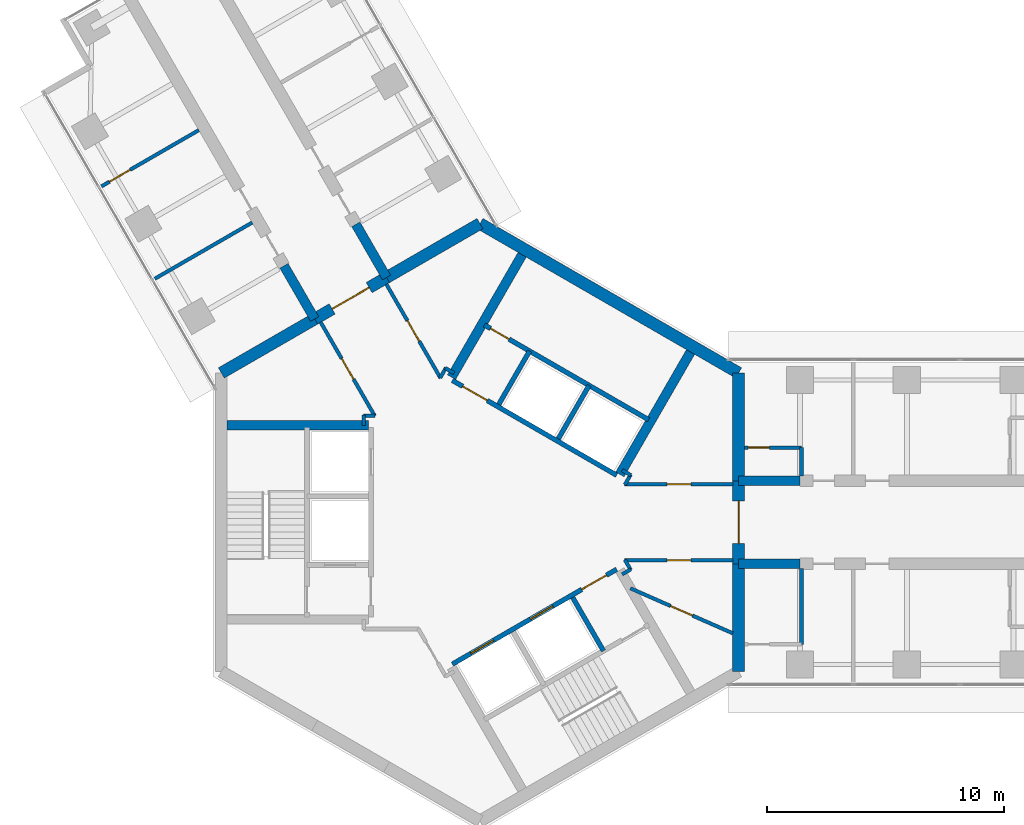
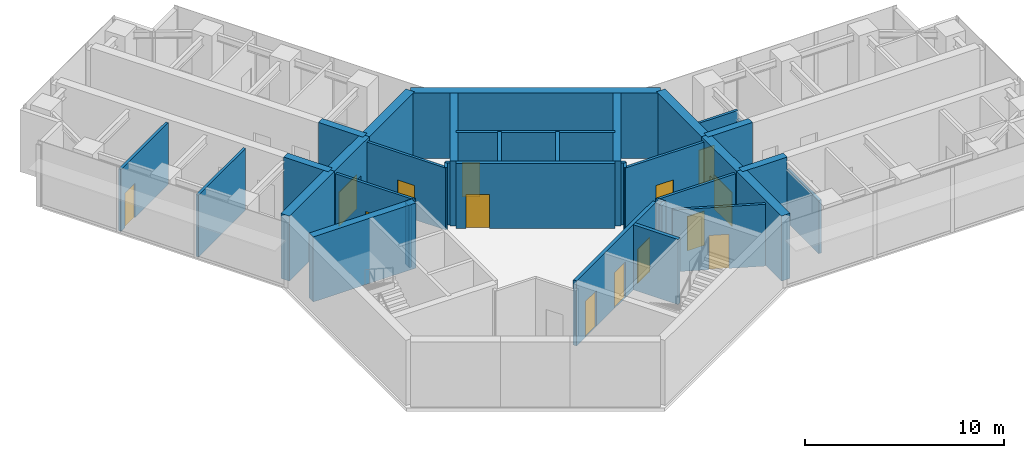
# One storey, part 12 of 17: 38 walls, 14 doors, 14 openings.
"""IFC4 building model written with IfcOpenShell, lengths in metres."""

from ifc_helpers import new_model, si_unit, direction, frame, frame_2d, origin, place, context, subcontext, project, spatial, rectangle, extrude, material, layer, layer_set, type_object, element, fill, save


model = new_model("IFC4")

# Units and contexts
model_context = context("Model", 3, precision=1e-05, world=origin(), true_north=direction((0.0, 1.0)))
body_context = subcontext(model_context, "Body", "Model", "MODEL_VIEW")
ifc_project = project(units=[si_unit("LENGTHUNIT", "METRE"), si_unit("AREAUNIT", "SQUARE_METRE"), si_unit("VOLUMEUNIT", "CUBIC_METRE"), si_unit("PLANEANGLEUNIT", "RADIAN"), si_unit("MASSUNIT", "GRAM", prefix="KILO")], contexts=[model_context])

# Site, building, storey
site_placement = place(None, origin())
site = spatial("IfcSite", under=ifc_project, at=site_placement, CompositionType="ELEMENT")
building_placement = place(site_placement, origin())
building = spatial("IfcBuilding", under=site, at=building_placement, Name="Upepo Twin Towers", CompositionType="ELEMENT")
storey_placement = place(building_placement, frame((0.0, 0.0, 198.5)))
storey = spatial("IfcBuildingStorey", under=building, at=storey_placement, Name="L48", CompositionType="ELEMENT", Elevation=198.5)

# Walls
ifc_material_1 = material(Name="Concrete C60/75", Category="concrete")
ifc_layer_1 = layer(ifc_material_1, 0.39990234375)
ifc_layer_set_1 = layer_set([ifc_layer_1], Name="Concrete C60/75")
wall_type_1 = type_object("IfcWallType", Name="Buttress wall 400 RC", PredefinedType="SHEAR", material=ifc_layer_set_1)
for number, where, z_axis, x_axis, name in (
    (1, (10.908447265625, 1.75, 0.0), (0.0, 0.0, 1.0), (1.0, 0.0, 0.0), "T1 wing A buttress wall L"),
    (2, (10.908447265625, -1.75, 0.0), (0.0, 0.0, 1.0), (1.0, 0.0, 0.0), "T1 wing A buttress wall R"),
):
    element("IfcWall", number, at=place(storey_placement, frame(where, z_axis=z_axis, x_axis=x_axis)), inside=storey, type_object=wall_type_1, Name=name, PredefinedType="SHEAR", context=body_context, shape_type="SweptSolid", body=[
        extrude(rectangle(XDim=2.591552734375, YDim=0.39990234375, at=frame_2d((1.2958984375, 0.0))), origin(), (0.0, 0.0, 1.0), 4.0),
    ])
for number, where, z_axis, x_axis, name in (
    (3, (-6.9697265625, 8.57177734375, 0.0), (0.0, 0.0, 1.0), (-0.499988811324, 0.866031863473, 0.0), "T1 wing B buttress wall L"),
    (4, (-3.938720703125, 10.32177734375, 0.0), (0.0, 0.0, 1.0), (-0.499918158782, 0.866072649678, 0.0), "T1 wing B buttress wall R"),
):
    element("IfcWall", number, at=place(storey_placement, frame(where, z_axis=z_axis, x_axis=x_axis)), inside=storey, type_object=wall_type_1, Name=name, PredefinedType="SHEAR", context=body_context, shape_type="SweptSolid", body=[
        extrude(rectangle(XDim=2.591796875, YDim=0.39990234375, at=frame_2d((1.2958984375, 0.0))), origin(), (0.0, 0.0, 1.0), 4.0),
    ])
ifc_material_2 = material(Name="Concrete C60/75", Category="concrete")
ifc_layer_2 = layer(ifc_material_2, 0.5)
ifc_layer_set_2 = layer_set([ifc_layer_2], Name="Concrete C60/75")
wall_type_2 = type_object("IfcWallType", Name="Core wall 500 RC", PredefinedType="SHEAR", material=ifc_layer_set_2)
wall_1_placement = place(storey_placement, frame((10.908447265625, -6.2978515625, 0.0), z_axis=(0.0, 0.0, 1.0), x_axis=(0.0, 1.0, 0.0)))
element("IfcWall", 5, at=wall_1_placement, inside=storey, type_object=wall_type_2, Name="T1 core wall 000 R", PredefinedType="SHEAR", context=body_context, shape_type="SweptSolid", body=[
    extrude(rectangle(XDim=4.5478515625, YDim=0.5, at=frame_2d((2.27392578125, 0.0))), origin(), (0.0, 0.0, 1.0), 4.0),
])

# Wall, opening, door
wall_2_placement = place(storey_placement, frame((10.908447265625, -1.75, 0.0), z_axis=(0.0, 0.0, 1.0), x_axis=(0.0, 1.0, 0.0)))
wall_2 = element("IfcWall", 6, at=wall_2_placement, inside=storey, type_object=wall_type_2, Name="T1 core wall 000", PredefinedType="SHEAR", context=body_context, shape_type="SweptSolid", body=[
    extrude(rectangle(XDim=3.5, YDim=0.5, at=frame_2d((1.75, 0.0))), origin(), (0.0, 0.0, 1.0), 4.0),
])
opening_1_placement = place(wall_2_placement, frame((0.85009765625, 0.0, 0.0)))
opening_1 = element("IfcOpeningElement", 7, at=opening_1_placement, cuts=wall_2, Name="Opening D2", PredefinedType="OPENING", context=body_context, shape_type="SweptSolid", body=[
    extrude(rectangle(XDim=1.800048828125, YDim=2.10009765625, at=frame_2d((0.89990234375, 1.050048828125))), frame((0.0, 0.260009765625, 0.0), z_axis=(0.0, -1.0, 0.0), x_axis=(1.0, 0.0, 0.0)), (0.0, 0.0, 1.0), 0.52001953125),
])
ifc_material_3 = material(Name="Timber doorset", Category="wood")
door_type_1 = type_object("IfcDoorType", Name="Corridor double door 1800 FD60", OperationType="DOUBLE_DOOR_DOUBLE_SWING", PredefinedType="DOOR", material=ifc_material_3)
door_1_placement = place(opening_1_placement, origin())
door_1 = element("IfcDoor", 8, at=door_1_placement, inside=storey, type_object=door_type_1, Name="T1 L48 wing A corridor door", OperationType="DOUBLE_DOOR_DOUBLE_SWING", OverallHeight=2.10009765625, OverallWidth=1.800048828125, PredefinedType="DOOR", context=body_context, shape_type="SweptSolid", body=[
    extrude(rectangle(XDim=1.800048828125, YDim=2.10009765625, at=frame_2d((0.89990234375, 1.050048828125))), frame((0.0, 0.02490234375, 0.0), z_axis=(0.0, -1.0, 0.0), x_axis=(1.0, 0.0, 0.0)), (0.0, 0.0, 1.0), 0.050048828125),
])
fill(opening_1, door_1)

# Walls
wall_3_placement = place(storey_placement, frame((10.908447265625, 1.75, 0.0), z_axis=(0.0, 0.0, 1.0), x_axis=(0.0, 1.0, 0.0)))
element("IfcWall", 9, at=wall_3_placement, inside=storey, type_object=wall_type_2, Name="T1 core wall 000 L", PredefinedType="SHEAR", context=body_context, shape_type="SweptSolid", body=[
    extrude(rectangle(XDim=4.5478515625, YDim=0.5, at=frame_2d((2.27392578125, 0.0))), origin(), (0.0, 0.0, 1.0), 4.0),
])
wall_4_placement = place(storey_placement, frame((10.908447265625, 6.2978515625, 0.0), z_axis=(0.0, 0.0, 1.0), x_axis=(-0.866021940709, 0.500005998175, 0.0)))
element("IfcWall", 10, at=wall_4_placement, inside=storey, type_object=wall_type_2, Name="T1 core wall 060", PredefinedType="SHEAR", context=body_context, shape_type="SweptSolid", body=[
    extrude(rectangle(XDim=12.595947265625, YDim=0.5, at=frame_2d((6.2978515625, 0.0))), origin(), (0.0, 0.0, 1.0), 4.0),
])
wall_5_placement = place(storey_placement, frame((0.0, 12.595947265625, 0.0), z_axis=(0.0, 0.0, 1.0), x_axis=(-0.866011268655, -0.500024481964, 0.0)))
element("IfcWall", 11, at=wall_5_placement, inside=storey, type_object=wall_type_2, Name="T1 core wall 120 R", PredefinedType="SHEAR", context=body_context, shape_type="SweptSolid", body=[
    extrude(rectangle(XDim=4.548095703125, YDim=0.5, at=frame_2d((2.27392578125, 0.0))), origin(), (0.0, 0.0, 1.0), 4.0),
])

# Wall, opening, door
wall_6_placement = place(storey_placement, frame((-3.938720703125, 10.32177734375, 0.0), z_axis=(0.0, 0.0, 1.0), x_axis=(-0.866019471182, -0.500010275428, 0.0)))
wall_6 = element("IfcWall", 12, at=wall_6_placement, inside=storey, type_object=wall_type_2, Name="T1 core wall 120", PredefinedType="SHEAR", context=body_context, shape_type="SweptSolid", body=[
    extrude(rectangle(XDim=3.5, YDim=0.5, at=frame_2d((1.75, 0.0))), origin(), (0.0, 0.0, 1.0), 4.0),
])
opening_2_placement = place(wall_6_placement, frame((0.85009765625, 0.0, 0.0)))
opening_2 = element("IfcOpeningElement", 13, at=opening_2_placement, cuts=wall_6, Name="Opening D2", PredefinedType="OPENING", context=body_context, shape_type="SweptSolid", body=[
    extrude(rectangle(XDim=1.800048828125, YDim=2.10009765625, at=frame_2d((0.89990234375, 1.050048828125))), frame((0.0, 0.260009765625, 0.0), z_axis=(0.0, -1.0, 0.0), x_axis=(1.0, 0.0, 0.0)), (0.0, 0.0, 1.0), 0.52001953125),
])
door_2_placement = place(opening_2_placement, origin())
door_2 = element("IfcDoor", 14, at=door_2_placement, inside=storey, type_object=door_type_1, Name="T1 L48 wing B corridor door", OperationType="DOUBLE_DOOR_DOUBLE_SWING", OverallHeight=2.10009765625, OverallWidth=1.800048828125, PredefinedType="DOOR", context=body_context, shape_type="SweptSolid", body=[
    extrude(rectangle(XDim=1.800048828125, YDim=2.10009765625, at=frame_2d((0.89990234375, 1.050048828125))), frame((0.0, 0.02490234375, 0.0), z_axis=(0.0, -1.0, 0.0), x_axis=(1.0, 0.0, 0.0)), (0.0, 0.0, 1.0), 0.050048828125),
])
fill(opening_2, door_2)

# Wall
wall_7_placement = place(storey_placement, frame((-6.9697265625, 8.57177734375, 0.0), z_axis=(0.0, 0.0, 1.0), x_axis=(-0.866034513004, -0.499984222037, 0.0)))
element("IfcWall", 15, at=wall_7_placement, inside=storey, type_object=wall_type_2, Name="T1 core wall 120 L", PredefinedType="SHEAR", context=body_context, shape_type="SweptSolid", body=[
    extrude(rectangle(XDim=4.548095703125, YDim=0.5, at=frame_2d((2.27392578125, 0.0))), origin(), (0.0, 0.0, 1.0), 4.0),
])

# Wall, opening, door
ifc_material_4 = material(Name="Concrete C40/50", Category="concrete")
ifc_layer_3 = layer(ifc_material_4, 0.199951171875)
ifc_layer_set_3 = layer_set([ifc_layer_3], Name="Concrete C40/50")
wall_type_3 = type_object("IfcWallType", Name="Shaft wall 200 RC", PredefinedType="SHEAR", material=ifc_layer_set_3)
wall_8_placement = place(storey_placement, frame((5.76416015625, 1.983642578125, 0.0), z_axis=(0.0, 0.0, 1.0), x_axis=(-0.866026010844, 0.49999894854, 0.0)))
wall_8 = element("IfcWall", 16, at=wall_8_placement, inside=storey, type_object=wall_type_3, Name="T1 core W60 front wall", PredefinedType="SHEAR", context=body_context, shape_type="SweptSolid", body=[
    extrude(rectangle(XDim=8.0, YDim=0.199951171875, at=frame_2d((4.0, 0.0))), origin(), (0.0, 0.0, 1.0), 4.0),
])
opening_3_placement = place(wall_8_placement, frame((6.300048828125, 0.0, 0.0)))
opening_3 = element("IfcOpeningElement", 17, at=opening_3_placement, cuts=wall_8, Name="Opening D4", PredefinedType="OPENING", context=body_context, shape_type="SweptSolid", body=[
    extrude(rectangle(XDim=1.199951171875, YDim=2.10009765625, at=frame_2d((0.60009765625, 1.050048828125))), frame((0.0, 0.10986328125, 0.0), z_axis=(0.0, -1.0, 0.0), x_axis=(1.0, 0.0, 0.0)), (0.0, 0.0, 1.0), 0.219970703125),
])
ifc_material_5 = material(Name="Timber doorset", Category="wood")
door_type_2 = type_object("IfcDoorType", Name="Lobby door 1200 FD60", OperationType="SINGLE_SWING_LEFT", PredefinedType="DOOR", material=ifc_material_5)
door_3_placement = place(opening_3_placement, origin())
door_3 = element("IfcDoor", 18, at=door_3_placement, inside=storey, type_object=door_type_2, Name="T1 L48 W60 lobby door", OperationType="SINGLE_SWING_RIGHT", OverallHeight=2.10009765625, OverallWidth=1.199951171875, PredefinedType="DOOR", context=body_context, shape_type="SweptSolid", body=[
    extrude(rectangle(XDim=1.199951171875, YDim=2.10009765625, at=frame_2d((0.60009765625, 1.050048828125))), frame((0.0, 0.02490234375, 0.0), z_axis=(0.0, -1.0, 0.0), x_axis=(1.0, 0.0, 0.0)), (0.0, 0.0, 1.0), 0.050048828125),
])
fill(opening_3, door_3)

# Walls
for number, where, z_axis, x_axis, name in (
    (19, (3.302734375, 3.520263671875, 0.0), (0.0, 0.0, 1.0), (0.499936506574, 0.866062058628, 0.0), "T1 core W60 shaft divider"),
    (20, (0.791259765625, 4.97021484375, 0.0), (0.0, 0.0, 1.0), (0.499936506574, 0.866062058628, 0.0), "T1 core W60 lobby wall"),
):
    element("IfcWall", number, at=place(storey_placement, frame(where, z_axis=z_axis, x_axis=x_axis)), inside=storey, type_object=wall_type_3, Name=name, PredefinedType="SHEAR", context=body_context, shape_type="SweptSolid", body=[
        extrude(rectangle(XDim=2.599853515625, YDim=0.199951171875, at=frame_2d((1.2998046875, 0.0))), origin(), (0.0, 0.0, 1.0), 4.0),
    ])

# Wall, opening, door
wall_9_placement = place(storey_placement, frame((7.114013671875, 4.322021484375, 0.0), z_axis=(0.0, 0.0, 1.0), x_axis=(-0.866026010844, 0.49999894854, 0.0)))
wall_9 = element("IfcWall", 21, at=wall_9_placement, inside=storey, type_object=wall_type_3, Name="T1 core W60 stair wall", PredefinedType="SHEAR", context=body_context, shape_type="SweptSolid", body=[
    extrude(rectangle(XDim=8.0, YDim=0.199951171875, at=frame_2d((4.0, 0.0))), origin(), (0.0, 0.0, 1.0), 4.0),
])
opening_4_placement = place(wall_9_placement, frame((6.800048828125, 0.0, 0.0)))
opening_4 = element("IfcOpeningElement", 22, at=opening_4_placement, cuts=wall_9, Name="Opening D9", PredefinedType="OPENING", context=body_context, shape_type="SweptSolid", body=[
    extrude(rectangle(XDim=0.89990234375, YDim=2.10009765625, at=frame_2d((0.449951171875, 1.050048828125))), frame((0.0, 0.10986328125, 0.0), z_axis=(0.0, -1.0, 0.0), x_axis=(1.0, 0.0, 0.0)), (0.0, 0.0, 1.0), 0.219970703125),
])
ifc_material_6 = material(Name="Timber doorset", Category="wood")
door_type_3 = type_object("IfcDoorType", Name="Riser door 900 FD60", OperationType="SINGLE_SWING_LEFT", PredefinedType="DOOR", material=ifc_material_6)
door_4_placement = place(opening_4_placement, origin())
door_4 = element("IfcDoor", 23, at=door_4_placement, inside=storey, type_object=door_type_3, Name="T1 L48 riser door", OperationType="SINGLE_SWING_RIGHT", OverallHeight=2.10009765625, OverallWidth=0.89990234375, PredefinedType="DOOR", context=body_context, shape_type="SweptSolid", body=[
    extrude(rectangle(XDim=0.89990234375, YDim=2.10009765625, at=frame_2d((0.449951171875, 1.050048828125))), frame((0.0, 0.02490234375, 0.0), z_axis=(0.0, -1.0, 0.0), x_axis=(1.0, 0.0, 0.0)), (0.0, 0.0, 1.0), 0.050048828125),
])
fill(opening_4, door_4)

# Wall, openings, doors
wall_10_placement = place(storey_placement, frame((-1.1640625, -5.983642578125, 0.0), z_axis=(0.0, 0.0, 1.0), x_axis=(0.866026010844, 0.49999894854, 0.0)))
wall_10 = element("IfcWall", 24, at=wall_10_placement, inside=storey, type_object=wall_type_3, Name="T1 core W300 front wall", PredefinedType="SHEAR", context=body_context, shape_type="SweptSolid", body=[
    extrude(rectangle(XDim=8.0, YDim=0.199951171875, at=frame_2d((4.0, 0.0))), origin(), (0.0, 0.0, 1.0), 4.0),
])
opening_5_placement = place(wall_10_placement, frame((6.300048828125, 0.0, 0.0)))
opening_5 = element("IfcOpeningElement", 25, at=opening_5_placement, cuts=wall_10, Name="Opening D4", PredefinedType="OPENING", context=body_context, shape_type="SweptSolid", body=[
    extrude(rectangle(XDim=1.199951171875, YDim=2.10009765625, at=frame_2d((0.60009765625, 1.050048828125))), frame((0.0, 0.10986328125, 0.0), z_axis=(0.0, -1.0, 0.0), x_axis=(1.0, 0.0, 0.0)), (0.0, 0.0, 1.0), 0.219970703125),
])
opening_6_placement = place(wall_10_placement, frame((0.89990234375, 0.0, 0.0)))
opening_6 = element("IfcOpeningElement", 26, at=opening_6_placement, cuts=wall_10, Name="Opening LD1", PredefinedType="OPENING", context=body_context, shape_type="SweptSolid", body=[
    extrude(rectangle(XDim=1.10009765625, YDim=2.199951171875, at=frame_2d((0.550048828125, 1.10009765625))), frame((0.0, 0.10986328125, 0.0), z_axis=(0.0, -1.0, 0.0), x_axis=(1.0, 0.0, 0.0)), (0.0, 0.0, 1.0), 0.219970703125),
])
opening_7_placement = place(wall_10_placement, frame((3.800048828125, 0.0, 0.0)))
opening_7 = element("IfcOpeningElement", 27, at=opening_7_placement, cuts=wall_10, Name="Opening LD1", PredefinedType="OPENING", context=body_context, shape_type="SweptSolid", body=[
    extrude(rectangle(XDim=1.10009765625, YDim=2.199951171875, at=frame_2d((0.550048828125, 1.10009765625))), frame((0.0, 0.10986328125, 0.0), z_axis=(0.0, -1.0, 0.0), x_axis=(1.0, 0.0, 0.0)), (0.0, 0.0, 1.0), 0.219970703125),
])
ifc_material_7 = material(Name="Steel doorset", Category="steel")
door_type_4 = type_object("IfcDoorType", Name="Lift landing door 1100", OperationType="DOUBLE_DOOR_SLIDING", PredefinedType="DOOR", material=ifc_material_7)
door_5_placement = place(opening_6_placement, origin())
door_5 = element("IfcDoor", 28, at=door_5_placement, inside=storey, type_object=door_type_4, Name="T1 L48 lift UL1 landing door", OperationType="DOUBLE_DOOR_SLIDING", OverallHeight=2.199951171875, OverallWidth=1.10009765625, PredefinedType="DOOR", context=body_context, shape_type="SweptSolid", body=[
    extrude(rectangle(XDim=1.10009765625, YDim=2.199951171875, at=frame_2d((0.550048828125, 1.10009765625))), frame((0.0, 0.02490234375, 0.0), z_axis=(0.0, -1.0, 0.0), x_axis=(1.0, 0.0, 0.0)), (0.0, 0.0, 1.0), 0.050048828125),
])
fill(opening_6, door_5)
door_6_placement = place(opening_7_placement, origin())
door_6 = element("IfcDoor", 29, at=door_6_placement, inside=storey, type_object=door_type_4, Name="T1 L48 lift UL2 landing door", OperationType="DOUBLE_DOOR_SLIDING", OverallHeight=2.199951171875, OverallWidth=1.10009765625, PredefinedType="DOOR", context=body_context, shape_type="SweptSolid", body=[
    extrude(rectangle(XDim=1.10009765625, YDim=2.199951171875, at=frame_2d((0.550048828125, 1.10009765625))), frame((0.0, 0.02490234375, 0.0), z_axis=(0.0, -1.0, 0.0), x_axis=(1.0, 0.0, 0.0)), (0.0, 0.0, 1.0), 0.050048828125),
])
fill(opening_7, door_6)
door_7_placement = place(opening_5_placement, origin())
door_7 = element("IfcDoor", 30, at=door_7_placement, inside=storey, type_object=door_type_2, Name="T1 L48 W300 lobby door", OperationType="SINGLE_SWING_RIGHT", OverallHeight=2.10009765625, OverallWidth=1.199951171875, PredefinedType="DOOR", context=body_context, shape_type="SweptSolid", body=[
    extrude(rectangle(XDim=1.199951171875, YDim=2.10009765625, at=frame_2d((0.60009765625, 1.050048828125))), frame((0.0, 0.02490234375, 0.0), z_axis=(0.0, -1.0, 0.0), x_axis=(1.0, 0.0, 0.0)), (0.0, 0.0, 1.0), 0.050048828125),
])
fill(opening_5, door_7)

# Walls
wall_11_placement = place(storey_placement, frame((3.908935546875, -3.17041015625, 0.0), z_axis=(0.0, 0.0, 1.0), x_axis=(0.49997716683, -0.86603858612, 0.0)))
element("IfcWall", 31, at=wall_11_placement, inside=storey, type_object=wall_type_3, Name="T1 core W300 lobby wall", PredefinedType="SHEAR", context=body_context, shape_type="SweptSolid", body=[
    extrude(rectangle(XDim=2.599609375, YDim=0.199951171875, at=frame_2d((1.2998046875, 0.0))), origin(), (0.0, 0.0, 1.0), 4.0),
])
ifc_material_8 = material(Name="Concrete C40/50", Category="concrete")
ifc_layer_4 = layer(ifc_material_8, 0.39990234375)
ifc_layer_set_4 = layer_set([ifc_layer_4], Name="Concrete C40/50")
wall_type_4 = type_object("IfcWallType", Name="Shaft wall 400 RC", PredefinedType="SHEAR", material=ifc_layer_set_4)
wall_12_placement = place(storey_placement, frame((-1.20068359375, 6.120361328125, 0.0), z_axis=(0.0, 0.0, 1.0), x_axis=(0.500021575205, 0.866012946976, 0.0)))
element("IfcWall", 32, at=wall_12_placement, inside=storey, type_object=wall_type_4, Name="T1 core W60 side wall N", PredefinedType="SHEAR", context=body_context, shape_type="SweptSolid", body=[
    extrude(rectangle(XDim=5.958251953125, YDim=0.39990234375, at=frame_2d((2.97900390625, 0.0))), origin(), (0.0, 0.0, 1.0), 4.0),
])
for number, where, z_axis, x_axis, name in (
    (33, (5.900634765625, 2.020263671875, 0.0), (0.0, 0.0, 1.0), (0.500003832394, 0.86602319114, 0.0), "T1 core W60 side wall S"),
    (34, (-4.699951171875, 4.10009765625, 0.0), (0.0, 0.0, 1.0), (-1.0, 0.0, 0.0), "T1 core W180 side wall S"),
):
    element("IfcWall", number, at=place(storey_placement, frame(where, z_axis=z_axis, x_axis=x_axis)), inside=storey, type_object=wall_type_4, Name=name, PredefinedType="SHEAR", context=body_context, shape_type="SweptSolid", body=[
        extrude(rectangle(XDim=5.95849609375, YDim=0.39990234375, at=frame_2d((2.979248046875, 0.0))), origin(), (0.0, 0.0, 1.0), 4.0),
    ])

# Wall, opening, door
ifc_material_9 = material(Name="Gypsum board on steel studs", Category="steel")
ifc_layer_5 = layer(ifc_material_9, 0.14990234375)
ifc_layer_set_5 = layer_set([ifc_layer_5], Name="Teaching partition 150 acoustic")
wall_type_5 = type_object("IfcWallType", Name="Teaching partition 150 acoustic", PredefinedType="PARTITIONING", material=ifc_layer_set_5)
wall_13_placement = place(storey_placement, frame((11.157958984375, 3.14990234375, 0.0), z_axis=(0.0, 0.0, 1.0), x_axis=(1.0, 0.0, 0.0)))
wall_13 = element("IfcWall", 35, at=wall_13_placement, inside=storey, type_object=wall_type_5, Name="T1 WC bay partition AL at 11.16", PredefinedType="PARTITIONING", context=body_context, shape_type="SweptSolid", body=[
    extrude(rectangle(XDim=2.400146484375, YDim=0.14990234375, at=frame_2d((1.2001953125, 0.0))), origin(), (0.0, 0.0, 1.0), 3.800048828125),
])
opening_8_placement = place(wall_13_placement, frame((0.14990234375, 0.0, 0.0)))
opening_8 = element("IfcOpeningElement", 36, at=opening_8_placement, cuts=wall_13, Name="Opening D14", PredefinedType="OPENING", context=body_context, shape_type="SweptSolid", body=[
    extrude(rectangle(XDim=0.89990234375, YDim=2.10009765625, at=frame_2d((0.449951171875, 1.050048828125))), frame((0.0, 0.0849609375, 0.0), z_axis=(0.0, -1.0, 0.0), x_axis=(1.0, 0.0, 0.0)), (0.0, 0.0, 1.0), 0.169921875),
])
ifc_material_10 = material(Name="Timber doorset", Category="wood")
door_type_5 = type_object("IfcDoorType", Name="Office door 900 FD30", OperationType="SINGLE_SWING_LEFT", PredefinedType="DOOR", material=ifc_material_10)
door_8_placement = place(opening_8_placement, origin())
door_8 = element("IfcDoor", 37, at=door_8_placement, inside=storey, type_object=door_type_5, Name="T1 L48 WC bay inner room door", OperationType="SINGLE_SWING_LEFT", OverallHeight=2.10009765625, OverallWidth=0.89990234375, PredefinedType="DOOR", context=body_context, shape_type="SweptSolid", body=[
    extrude(rectangle(XDim=0.89990234375, YDim=2.10009765625, at=frame_2d((0.449951171875, 1.050048828125))), frame((0.0, 0.02490234375, 0.0), z_axis=(0.0, -1.0, 0.0), x_axis=(1.0, 0.0, 0.0)), (0.0, 0.0, 1.0), 0.050048828125),
])
fill(opening_8, door_8)

# Walls
wall_14_placement = place(storey_placement, frame((13.55810546875, 1.949951171875, 0.0), z_axis=(0.0, 0.0, 1.0), x_axis=(0.0, 1.0, 0.0)))
element("IfcWall", 38, at=wall_14_placement, inside=storey, type_object=wall_type_5, Name="T1 WC bay partition AL end at 13.56", PredefinedType="PARTITIONING", context=body_context, shape_type="SweptSolid", body=[
    extrude(rectangle(XDim=1.199951171875, YDim=0.14990234375, at=frame_2d((0.60009765625, 0.0))), origin(), (0.0, 0.0, 1.0), 3.266845703125),
])
wall_15_placement = place(storey_placement, frame((13.55810546875, -1.949951171875, 0.0), z_axis=(0.0, 0.0, 1.0), x_axis=(0.0, -1.0, 0.0)))
element("IfcWall", 39, at=wall_15_placement, inside=storey, type_object=wall_type_5, Name="T1 WC bay partition AR end at 13.56", PredefinedType="PARTITIONING", context=body_context, shape_type="SweptSolid", body=[
    extrude(rectangle(XDim=3.199951171875, YDim=0.14990234375, at=frame_2d((1.60009765625, 0.0))), origin(), (0.0, 0.0, 1.0), 3.266845703125),
])
wall_16_placement = place(storey_placement, frame((-9.60693359375, 12.639892578125, 0.0), z_axis=(0.0, 0.0, 1.0), x_axis=(-0.866033238375, -0.499986429846, 0.0)))
element("IfcWall", 40, at=wall_16_placement, inside=storey, type_object=wall_type_5, Name="T1 partition BL at 15.75", PredefinedType="PARTITIONING", context=body_context, shape_type="SweptSolid", body=[
    extrude(rectangle(XDim=4.750244140625, YDim=0.14990234375, at=frame_2d((2.375, 0.0))), origin(), (0.0, 0.0, 1.0), 3.800048828125),
])

# Wall, opening, door
wall_17_placement = place(storey_placement, frame((-11.85693359375, 16.537109375, 0.0), z_axis=(0.0, 0.0, 1.0), x_axis=(-0.866033238375, -0.499986429846, 0.0)))
wall_17 = element("IfcWall", 41, at=wall_17_placement, inside=storey, type_object=wall_type_5, Name="T1 partition BL at 20.25", PredefinedType="PARTITIONING", context=body_context, shape_type="SweptSolid", body=[
    extrude(rectangle(XDim=4.750244140625, YDim=0.14990234375, at=frame_2d((2.375, 0.0))), origin(), (0.0, 0.0, 1.0), 3.800048828125),
])
opening_9_placement = place(wall_17_placement, frame((3.35009765625, 0.0, 0.0)))
opening_9 = element("IfcOpeningElement", 42, at=opening_9_placement, cuts=wall_17, Name="Opening D1", PredefinedType="OPENING", context=body_context, shape_type="SweptSolid", body=[
    extrude(rectangle(XDim=1.0, YDim=2.10009765625, at=frame_2d((0.5, 1.050048828125))), frame((0.0, 0.0849609375, 0.0), z_axis=(0.0, -1.0, 0.0), x_axis=(1.0, 0.0, 0.0)), (0.0, 0.0, 1.0), 0.169921875),
])
ifc_material_11 = material(Name="Timber doorset", Category="wood")
door_type_6 = type_object("IfcDoorType", Name="Room door 1000 FD30", OperationType="SINGLE_SWING_LEFT", PredefinedType="DOOR", material=ifc_material_11)
door_9_placement = place(opening_9_placement, origin())
door_9 = element("IfcDoor", 43, at=door_9_placement, inside=storey, type_object=door_type_6, Name="T1 L48 connecting door", OperationType="SINGLE_SWING_RIGHT", OverallHeight=2.10009765625, OverallWidth=1.0, PredefinedType="DOOR", context=body_context, shape_type="SweptSolid", body=[
    extrude(rectangle(XDim=1.0, YDim=2.10009765625, at=frame_2d((0.5, 1.050048828125))), frame((0.0, 0.02490234375, 0.0), z_axis=(0.0, -1.0, 0.0), x_axis=(1.0, 0.0, 0.0)), (0.0, 0.0, 1.0), 0.050048828125),
])
fill(opening_9, door_9)

# Walls
for number, where, z_axis, x_axis, name in (
    (44, (6.364501953125, -1.9833984375, 0.0), (0.0, 0.0, 1.0), (-0.865892400268, -0.500230298122, 0.0), "T1 core room partition 1"),
    (45, (-4.89990234375, 4.090087890625, 0.0), (0.0, 0.0, 1.0), (0.0, 1.0, 0.0), "T1 core room partition 6"),
):
    element("IfcWall", number, at=place(storey_placement, frame(where, z_axis=z_axis, x_axis=x_axis)), inside=storey, type_object=wall_type_5, Name=name, PredefinedType="PARTITIONING", context=body_context, shape_type="SweptSolid", body=[
        extrude(rectangle(XDim=0.429931640625, YDim=0.14990234375, at=frame_2d((0.21484375, 0.0))), origin(), (0.0, 0.0, 1.0), 3.800048828125),
    ])
wall_18_placement = place(storey_placement, frame((-4.919921875, 4.5, 0.0), z_axis=(0.0, 0.0, 1.0), x_axis=(1.0, 0.0, 0.0)))
element("IfcWall", 46, at=wall_18_placement, inside=storey, type_object=wall_type_5, Name="T1 core room partition 7", PredefinedType="PARTITIONING", context=body_context, shape_type="SweptSolid", body=[
    extrude(rectangle(XDim=0.494384765625, YDim=0.14990234375, at=frame_2d((0.2470703125, 0.0))), origin(), (0.0, 0.0, 1.0), 3.800048828125),
])

# Wall, opening, door
wall_19_placement = place(storey_placement, frame((-4.435546875, 4.482666015625, 0.0), z_axis=(0.0, 0.0, 1.0), x_axis=(-0.500001558674, 0.866024503882, 0.0)))
wall_19 = element("IfcWall", 47, at=wall_19_placement, inside=storey, type_object=wall_type_5, Name="T1 core room partition 8", PredefinedType="PARTITIONING", context=body_context, shape_type="SweptSolid", body=[
    extrude(rectangle(XDim=4.568359375, YDim=0.14990234375, at=frame_2d((2.2841796875, 0.0))), origin(), (0.0, 0.0, 1.0), 3.800048828125),
])
opening_10_placement = place(wall_19_placement, frame((1.794189453125, 0.0, 0.0)))
opening_10 = element("IfcOpeningElement", 48, at=opening_10_placement, cuts=wall_19, Name="Opening D1", PredefinedType="OPENING", context=body_context, shape_type="SweptSolid", body=[
    extrude(rectangle(XDim=1.0, YDim=2.10009765625, at=frame_2d((0.5, 1.050048828125))), frame((0.0, 0.0849609375, 0.0), z_axis=(0.0, -1.0, 0.0), x_axis=(1.0, 0.0, 0.0)), (0.0, 0.0, 1.0), 0.169921875),
])
door_10_placement = place(opening_10_placement, origin())
door_10 = element("IfcDoor", 49, at=door_10_placement, inside=storey, type_object=door_type_6, Name="T1 L48 core room door K6", OperationType="SINGLE_SWING_RIGHT", OverallHeight=2.10009765625, OverallWidth=1.0, PredefinedType="DOOR", context=body_context, shape_type="SweptSolid", body=[
    extrude(rectangle(XDim=1.0, YDim=2.10009765625, at=frame_2d((0.5, 1.050048828125))), frame((0.0, 0.02490234375, 0.0), z_axis=(0.0, -1.0, 0.0), x_axis=(1.0, 0.0, 0.0)), (0.0, 0.0, 1.0), 0.050048828125),
])
fill(opening_10, door_10)

wall_20_placement = place(storey_placement, frame((-3.948486328125, 10.0390625, 0.0), z_axis=(0.0, 0.0, 1.0), x_axis=(0.500001558674, -0.866024503882, 0.0)))
wall_20 = element("IfcWall", 50, at=wall_20_placement, inside=storey, type_object=wall_type_5, Name="T1 core room partition 9", PredefinedType="PARTITIONING", context=body_context, shape_type="SweptSolid", body=[
    extrude(rectangle(XDim=4.568359375, YDim=0.14990234375, at=frame_2d((2.2841796875, 0.0))), origin(), (0.0, 0.0, 1.0), 3.800048828125),
])
opening_11_placement = place(wall_20_placement, frame((1.774169921875, 0.0, 0.0)))
opening_11 = element("IfcOpeningElement", 51, at=opening_11_placement, cuts=wall_20, Name="Opening D1", PredefinedType="OPENING", context=body_context, shape_type="SweptSolid", body=[
    extrude(rectangle(XDim=1.0, YDim=2.10009765625, at=frame_2d((0.5, 1.050048828125))), frame((0.0, 0.0849609375, 0.0), z_axis=(0.0, -1.0, 0.0), x_axis=(1.0, 0.0, 0.0)), (0.0, 0.0, 1.0), 0.169921875),
])
door_11_placement = place(opening_11_placement, origin())
door_11 = element("IfcDoor", 52, at=door_11_placement, inside=storey, type_object=door_type_6, Name="T1 L48 core room door K5", OperationType="SINGLE_SWING_LEFT", OverallHeight=2.10009765625, OverallWidth=1.0, PredefinedType="DOOR", context=body_context, shape_type="SweptSolid", body=[
    extrude(rectangle(XDim=1.0, YDim=2.10009765625, at=frame_2d((0.5, 1.050048828125))), frame((0.0, 0.02490234375, 0.0), z_axis=(0.0, -1.0, 0.0), x_axis=(1.0, 0.0, 0.0)), (0.0, 0.0, 1.0), 0.050048828125),
])
fill(opening_11, door_11)

# Walls
wall_21_placement = place(storey_placement, frame((-1.684326171875, 6.082763671875, 0.0), z_axis=(0.0, 0.0, 1.0), x_axis=(0.50033519877, 0.865831790172, 0.0)))
element("IfcWall", 53, at=wall_21_placement, inside=storey, type_object=wall_type_5, Name="T1 core room partition 10", PredefinedType="PARTITIONING", context=body_context, shape_type="SweptSolid", body=[
    extrude(rectangle(XDim=0.494384765625, YDim=0.14990234375, at=frame_2d((0.2470703125, 0.0))), origin(), (0.0, 0.0, 1.0), 3.800048828125),
])
for number, where, z_axis, x_axis, name in (
    (54, (-1.46435546875, 6.50341796875, 0.0), (0.0, 0.0, 1.0), (0.866138304741, -0.499804398801, 0.0), "T1 core room partition 11"),
    (55, (5.9921875, 2.198486328125, 0.0), (0.0, 0.0, 1.0), (0.865892400268, -0.500230298122, 0.0), "T1 core room partition 12"),
):
    element("IfcWall", number, at=place(storey_placement, frame(where, z_axis=z_axis, x_axis=x_axis)), inside=storey, type_object=wall_type_5, Name=name, PredefinedType="PARTITIONING", context=body_context, shape_type="SweptSolid", body=[
        extrude(rectangle(XDim=0.429931640625, YDim=0.14990234375, at=frame_2d((0.21484375, 0.0))), origin(), (0.0, 0.0, 1.0), 3.800048828125),
    ])
wall_22_placement = place(storey_placement, frame((6.357177734375, 2.0107421875, 0.0), z_axis=(0.0, 0.0, 1.0), x_axis=(-0.50033519877, -0.865831790172, 0.0)))
element("IfcWall", 56, at=wall_22_placement, inside=storey, type_object=wall_type_5, Name="T1 core room partition 13", PredefinedType="PARTITIONING", context=body_context, shape_type="SweptSolid", body=[
    extrude(rectangle(XDim=0.494384765625, YDim=0.14990234375, at=frame_2d((0.2470703125, 0.0))), origin(), (0.0, 0.0, 1.0), 3.800048828125),
])

# Wall, opening, door
wall_23_placement = place(storey_placement, frame((6.099853515625, 1.60009765625, 0.0), z_axis=(0.0, 0.0, 1.0), x_axis=(1.0, 0.0, 0.0)))
wall_23 = element("IfcWall", 57, at=wall_23_placement, inside=storey, type_object=wall_type_5, Name="T1 core room partition 14", PredefinedType="PARTITIONING", context=body_context, shape_type="SweptSolid", body=[
    extrude(rectangle(XDim=4.568359375, YDim=0.14990234375, at=frame_2d((2.2841796875, 0.0))), origin(), (0.0, 0.0, 1.0), 3.800048828125),
])
opening_12_placement = place(wall_23_placement, frame((1.79443359375, 0.0, 0.0)))
opening_12 = element("IfcOpeningElement", 58, at=opening_12_placement, cuts=wall_23, Name="Opening D1", PredefinedType="OPENING", context=body_context, shape_type="SweptSolid", body=[
    extrude(rectangle(XDim=1.0, YDim=2.10009765625, at=frame_2d((0.5, 1.050048828125))), frame((0.0, 0.0849609375, 0.0), z_axis=(0.0, -1.0, 0.0), x_axis=(1.0, 0.0, 0.0)), (0.0, 0.0, 1.0), 0.169921875),
])
door_12_placement = place(opening_12_placement, origin())
door_12 = element("IfcDoor", 59, at=door_12_placement, inside=storey, type_object=door_type_6, Name="T1 L48 core room door K4", OperationType="SINGLE_SWING_RIGHT", OverallHeight=2.10009765625, OverallWidth=1.0, PredefinedType="DOOR", context=body_context, shape_type="SweptSolid", body=[
    extrude(rectangle(XDim=1.0, YDim=2.10009765625, at=frame_2d((0.5, 1.050048828125))), frame((0.0, 0.02490234375, 0.0), z_axis=(0.0, -1.0, 0.0), x_axis=(1.0, 0.0, 0.0)), (0.0, 0.0, 1.0), 0.050048828125),
])
fill(opening_12, door_12)

wall_24_placement = place(storey_placement, frame((10.668212890625, -1.60009765625, 0.0), z_axis=(0.0, 0.0, 1.0), x_axis=(-1.0, 0.0, 0.0)))
wall_24 = element("IfcWall", 60, at=wall_24_placement, inside=storey, type_object=wall_type_5, Name="T1 core room partition 15", PredefinedType="PARTITIONING", context=body_context, shape_type="SweptSolid", body=[
    extrude(rectangle(XDim=4.568359375, YDim=0.14990234375, at=frame_2d((2.2841796875, 0.0))), origin(), (0.0, 0.0, 1.0), 3.800048828125),
])
opening_13_placement = place(wall_24_placement, frame((1.774169921875, 0.0, 0.0)))
opening_13 = element("IfcOpeningElement", 61, at=opening_13_placement, cuts=wall_24, Name="Opening D1", PredefinedType="OPENING", context=body_context, shape_type="SweptSolid", body=[
    extrude(rectangle(XDim=1.0, YDim=2.10009765625, at=frame_2d((0.5, 1.050048828125))), frame((0.0, 0.0849609375, 0.0), z_axis=(0.0, -1.0, 0.0), x_axis=(1.0, 0.0, 0.0)), (0.0, 0.0, 1.0), 0.169921875),
])
door_13_placement = place(opening_13_placement, origin())
door_13 = element("IfcDoor", 62, at=door_13_placement, inside=storey, type_object=door_type_6, Name="T1 L48 core room door K2", OperationType="SINGLE_SWING_LEFT", OverallHeight=2.10009765625, OverallWidth=1.0, PredefinedType="DOOR", context=body_context, shape_type="SweptSolid", body=[
    extrude(rectangle(XDim=1.0, YDim=2.10009765625, at=frame_2d((0.5, 1.050048828125))), frame((0.0, 0.02490234375, 0.0), z_axis=(0.0, -1.0, 0.0), x_axis=(1.0, 0.0, 0.0)), (0.0, 0.0, 1.0), 0.050048828125),
])
fill(opening_13, door_13)

# Wall
wall_25_placement = place(storey_placement, frame((6.10986328125, -1.582763671875, 0.0), z_axis=(0.0, 0.0, 1.0), x_axis=(0.50033519877, -0.865831790172, 0.0)))
element("IfcWall", 63, at=wall_25_placement, inside=storey, type_object=wall_type_5, Name="T1 core room partition 16", PredefinedType="PARTITIONING", context=body_context, shape_type="SweptSolid", body=[
    extrude(rectangle(XDim=0.494384765625, YDim=0.14990234375, at=frame_2d((0.2470703125, 0.0))), origin(), (0.0, 0.0, 1.0), 3.800048828125),
])

# Wall, opening, door
wall_26_placement = place(storey_placement, frame((6.34228515625, -2.78515625, 0.0), z_axis=(0.0, 0.0, 1.0), x_axis=(0.915607292951, -0.402073730919, 0.0)))
wall_26 = element("IfcWall", 64, at=wall_26_placement, inside=storey, type_object=wall_type_5, Name="T1 core room partition 17", PredefinedType="PARTITIONING", context=body_context, shape_type="SweptSolid", body=[
    extrude(rectangle(XDim=4.713623046875, YDim=0.14990234375, at=frame_2d((2.35693359375, 0.0))), origin(), (0.0, 0.0, 1.0), 3.800048828125),
])
opening_14_placement = place(wall_26_placement, frame((1.85693359375, 0.0, 0.0)))
opening_14 = element("IfcOpeningElement", 65, at=opening_14_placement, cuts=wall_26, Name="Opening D1", PredefinedType="OPENING", context=body_context, shape_type="SweptSolid", body=[
    extrude(rectangle(XDim=1.0, YDim=2.10009765625, at=frame_2d((0.5, 1.050048828125))), frame((0.0, 0.0849609375, 0.0), z_axis=(0.0, -1.0, 0.0), x_axis=(1.0, 0.0, 0.0)), (0.0, 0.0, 1.0), 0.169921875),
])
door_14_placement = place(opening_14_placement, origin())
door_14 = element("IfcDoor", 66, at=door_14_placement, inside=storey, type_object=door_type_6, Name="T1 L48 core room door K3", OperationType="SINGLE_SWING_LEFT", OverallHeight=2.10009765625, OverallWidth=1.0, PredefinedType="DOOR", context=body_context, shape_type="SweptSolid", body=[
    extrude(rectangle(XDim=1.0, YDim=2.10009765625, at=frame_2d((0.5, 1.050048828125))), frame((0.0, 0.02490234375, 0.0), z_axis=(0.0, -1.0, 0.0), x_axis=(1.0, 0.0, 0.0)), (0.0, 0.0, 1.0), 0.050048828125),
])
fill(opening_14, door_14)

save(model, "model.ifc")
